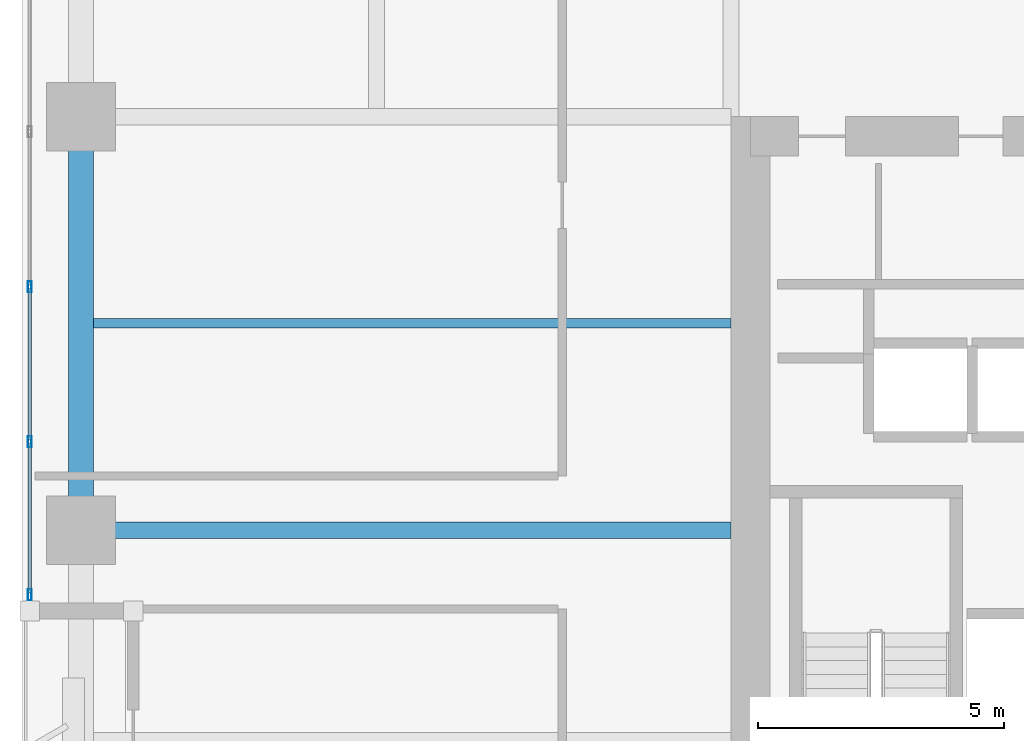
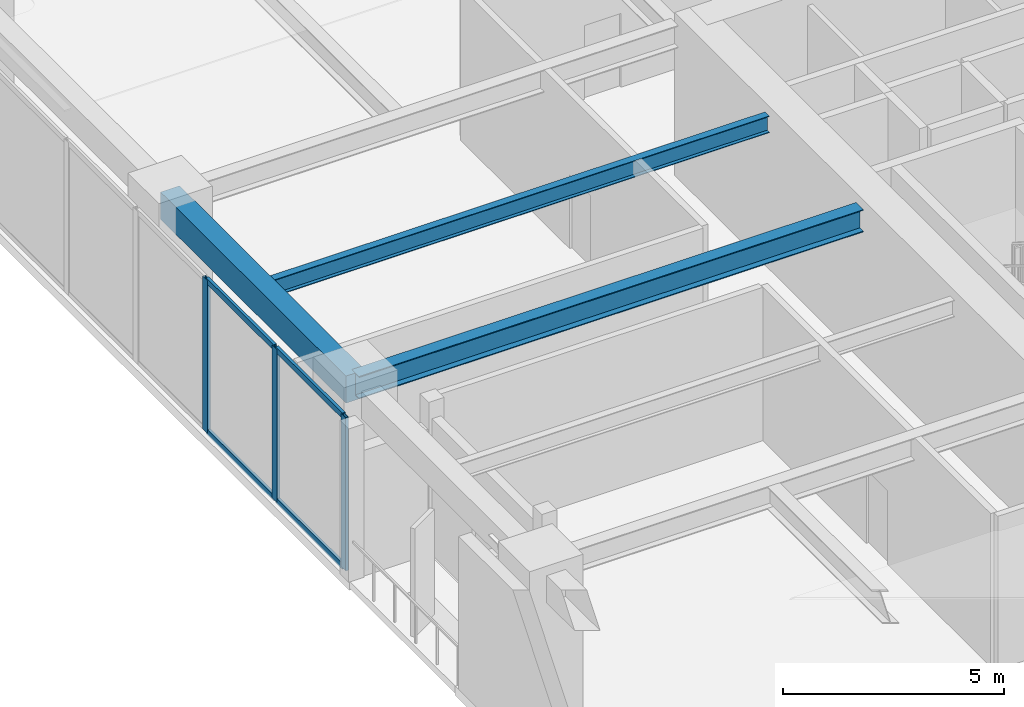
# One storey, part 2 of 20: 7 members, 3 beams, 1 element without a shape of its own.
"""IFC4 building model written with IfcOpenShell, lengths in metres."""

from ifc_helpers import new_model, si_unit, direction, frame, origin, origin_2d, place, context, subcontext, project, spatial, rectangle, hollow_rectangle, i_section, extrude, material, layer, layer_set, material_profile, profile_set, type_object, element, aggregate, save


model = new_model("IFC4")

# Units and contexts
model_context = context("Model", 3, precision=1e-05, world=origin(), true_north=direction((0.0, 1.0)))
body_context = subcontext(model_context, "Body", "Model", "MODEL_VIEW")
ifc_project = project(units=[si_unit("LENGTHUNIT", "METRE"), si_unit("AREAUNIT", "SQUARE_METRE"), si_unit("VOLUMEUNIT", "CUBIC_METRE"), si_unit("PLANEANGLEUNIT", "RADIAN"), si_unit("MASSUNIT", "GRAM", prefix="KILO")], contexts=[model_context])

# Site, building, storey
site_placement = place(None, origin())
site = spatial("IfcSite", under=ifc_project, at=site_placement, CompositionType="ELEMENT")
building_placement = place(site_placement, origin())
building = spatial("IfcBuilding", under=site, at=building_placement, Name="Kiyonajd Concourse Tower", CompositionType="ELEMENT")
storey_placement = place(building_placement, frame((0.0, 0.0, 125.39990234375)))
storey = spatial("IfcBuildingStorey", under=building, at=storey_placement, Name="L32", CompositionType="ELEMENT", Elevation=125.39990234375)

# Beams
ifc_material_1 = material(Name="Steel ASTM A992 Grade 50", Category="steel")
ifc_material_profile_1 = material_profile(ifc_material_1, i_section(OverallWidth=0.19189453125, OverallDepth=0.462890625, WebThickness=0.010498046875, FlangeThickness=0.017578125, at=origin_2d()), Name="W460X89")
ifc_profile_set_1 = profile_set([ifc_material_profile_1], Name="Steel ASTM A992 Grade 50")
beam_type_1 = type_object("IfcBeamType", Name="BM-JST-460B", PredefinedType="JOIST", material=ifc_profile_set_1)
beam_1_placement = place(storey_placement, frame((19.449951171875, 40.199951171875, 4.008544921875), z_axis=(1.0, 0.0, 0.0), x_axis=(0.0, 1.0, 0.0)))
element("IfcBeam", 1, at=beam_1_placement, inside=storey, type_object=beam_type_1, Name="L32 West Secondary Floor Joist", PredefinedType="JOIST", context=body_context, shape_type="SweptSolid", body=[
    extrude(i_section(OverallWidth=0.19189453125, OverallDepth=0.462890625, WebThickness=0.010498046875, FlangeThickness=0.017578125, at=origin_2d()), origin(), (0.0, 0.0, 1.0), 12.949951171875),
])
ifc_material_2 = material(Name="Precast concrete C50/60", Category="concrete")
ifc_material_profile_2 = material_profile(ifc_material_2, rectangle(XDim=0.5, YDim=0.75, at=origin_2d()), Name="RCBM-500x750")
ifc_profile_set_2 = profile_set([ifc_material_profile_2], Name="Precast concrete C50/60")
beam_type_2 = type_object("IfcBeamType", Name="BM-SPAN-RC", PredefinedType="SPANDREL", material=ifc_profile_set_2)
beam_2_placement = place(storey_placement, frame((19.199951171875, 44.39990234375, 3.864990234375), z_axis=(0.0, -1.0, 0.0), x_axis=(1.0, 0.0, 0.0)))
element("IfcBeam", 2, at=beam_2_placement, inside=storey, type_object=beam_type_2, Name="L32 Perimeter Bundled Tube Spandrel", PredefinedType="SPANDREL", context=body_context, shape_type="SweptSolid", body=[
    extrude(rectangle(XDim=0.5, YDim=0.75, at=origin_2d()), origin(), (0.0, 0.0, 1.0), 8.39990234375),
])
ifc_material_profile_3 = material_profile(ifc_material_1, i_section(OverallWidth=0.326904296875, OverallDepth=0.6220703125, WebThickness=0.015380859375, FlangeThickness=0.0244140625, at=origin_2d()), Name="W610X195")
ifc_profile_set_3 = profile_set([ifc_material_profile_3], Name="Steel ASTM A992 Grade 50")
beam_type_3 = type_object("IfcBeamType", Name="BM-TWR-610A", PredefinedType="BEAM", material=ifc_profile_set_3)
beam_3_placement = place(storey_placement, frame((19.199951171875, 36.0, 3.92919921875), z_axis=(1.0, 0.0, 0.0), x_axis=(0.0, 1.0, 0.0)))
element("IfcBeam", 3, at=beam_3_placement, inside=storey, type_object=beam_type_3, Name="L32 West Lease Girder", PredefinedType="BEAM", context=body_context, shape_type="SweptSolid", body=[
    extrude(i_section(OverallWidth=0.326904296875, OverallDepth=0.6220703125, WebThickness=0.015380859375, FlangeThickness=0.0244140625, at=origin_2d()), origin(), (0.0, 0.0, 1.0), 13.199951171875),
])

# Curtain wall, members
ifc_material_3 = material(Name="Thermally Broken Anodised Aluminium", Category="aluminium")
ifc_layer = layer(ifc_material_3, 0.179931640625)
ifc_layer_set = layer_set([ifc_layer], Name="Thermally Broken Anodised Aluminium")
curtain_wall_type = type_object("IfcCurtainWallType", Name="CW-SYS-05", PredefinedType="NOTDEFINED", material=ifc_layer_set)
curtain_wall_placement = place(storey_placement, origin())
curtain_wall = element("IfcCurtainWall", 4, at=curtain_wall_placement, inside=storey, type_object=curtain_wall_type, Name="L32 Unitised Curtain Wall CW5", PredefinedType="NOTDEFINED")
ifc_material_profile_4 = material_profile(ifc_material_3, hollow_rectangle(XDim=0.074951171875, YDim=0.219970703125, WallThickness=0.0048828125, at=origin_2d()), Name="MULL-75x220")
ifc_profile_set_4 = profile_set([ifc_material_profile_4], Name="Thermally Broken Anodised Aluminium")
member_type_1 = type_object("IfcMemberType", Name="MB-CW-MULL2", PredefinedType="MULLION", material=ifc_profile_set_4)
member_1_placement = place(storey_placement, frame((18.159912109375, 34.6875, 0.0), z_axis=(0.0, 0.0, 1.0), x_axis=(-1.0, 0.0, 0.0)))
member_1 = element("IfcMember", 5, at=member_1_placement, type_object=member_type_1, Name="CW5 mullion 1", PredefinedType="MULLION", context=body_context, shape_type="SweptSolid", body=[
    extrude(hollow_rectangle(XDim=0.074951171875, YDim=0.219970703125, WallThickness=0.0048828125, at=origin_2d()), origin(), (0.0, 0.0, 1.0), 4.239990234375),
])
member_2_placement = place(storey_placement, frame((18.159912109375, 37.79833984375, 0.0), z_axis=(0.0, 0.0, 1.0), x_axis=(-1.0, 0.0, 0.0)))
member_2 = element("IfcMember", 6, at=member_2_placement, type_object=member_type_1, Name="CW5 mullion 2", PredefinedType="MULLION", context=body_context, shape_type="SweptSolid", body=[
    extrude(hollow_rectangle(XDim=0.074951171875, YDim=0.219970703125, WallThickness=0.0048828125, at=origin_2d()), origin(), (0.0, 0.0, 1.0), 4.239990234375),
])
member_3_placement = place(storey_placement, frame((18.159912109375, 40.94677734375, 0.0), z_axis=(0.0, 0.0, 1.0), x_axis=(-1.0, 0.0, 0.0)))
member_3 = element("IfcMember", 7, at=member_3_placement, type_object=member_type_1, Name="CW5 mullion 3", PredefinedType="MULLION", context=body_context, shape_type="SweptSolid", body=[
    extrude(hollow_rectangle(XDim=0.074951171875, YDim=0.219970703125, WallThickness=0.0048828125, at=origin_2d()), origin(), (0.0, 0.0, 1.0), 4.239990234375),
])
ifc_material_profile_5 = material_profile(ifc_material_3, hollow_rectangle(XDim=0.074951171875, YDim=0.159912109375, WallThickness=0.0048828125, at=origin_2d()), Name="TRAN-75x160")
ifc_profile_set_5 = profile_set([ifc_material_profile_5], Name="Thermally Broken Anodised Aluminium")
member_type_2 = type_object("IfcMemberType", Name="MB-CW-TRAN2", PredefinedType="USERDEFINED", material=ifc_profile_set_5)
member_4_placement = place(storey_placement, frame((18.159912109375, 34.72509765625, 0.03759765625), z_axis=(0.0, 1.0, 0.0), x_axis=(-1.0, 0.0, 0.0)))
member_4 = element("IfcMember", 8, at=member_4_placement, type_object=member_type_2, Name="CW5 transom 1.1", ObjectType="TRANSOM", PredefinedType="USERDEFINED", context=body_context, shape_type="SweptSolid", body=[
    extrude(hollow_rectangle(XDim=0.074951171875, YDim=0.159912109375, WallThickness=0.0048828125, at=origin_2d()), origin(), (0.0, 0.0, 1.0), 3.035888671875),
])
member_5_placement = place(storey_placement, frame((18.159912109375, 34.72509765625, 4.20263671875), z_axis=(0.0, 1.0, 0.0), x_axis=(-1.0, 0.0, 0.0)))
member_5 = element("IfcMember", 9, at=member_5_placement, type_object=member_type_2, Name="CW5 transom 1.2", ObjectType="TRANSOM", PredefinedType="USERDEFINED", context=body_context, shape_type="SweptSolid", body=[
    extrude(hollow_rectangle(XDim=0.074951171875, YDim=0.159912109375, WallThickness=0.0048828125, at=origin_2d()), origin(), (0.0, 0.0, 1.0), 3.035888671875),
])
member_6_placement = place(storey_placement, frame((18.159912109375, 37.8359375, 0.03759765625), z_axis=(0.0, 1.0, 0.0), x_axis=(-1.0, 0.0, 0.0)))
member_6 = element("IfcMember", 10, at=member_6_placement, type_object=member_type_2, Name="CW5 transom 2.1", ObjectType="TRANSOM", PredefinedType="USERDEFINED", context=body_context, shape_type="SweptSolid", body=[
    extrude(hollow_rectangle(XDim=0.074951171875, YDim=0.159912109375, WallThickness=0.0048828125, at=origin_2d()), origin(), (0.0, 0.0, 1.0), 3.073486328125),
])
member_7_placement = place(storey_placement, frame((18.159912109375, 37.8359375, 4.20263671875), z_axis=(0.0, 1.0, 0.0), x_axis=(-1.0, 0.0, 0.0)))
member_7 = element("IfcMember", 11, at=member_7_placement, type_object=member_type_2, Name="CW5 transom 2.2", ObjectType="TRANSOM", PredefinedType="USERDEFINED", context=body_context, shape_type="SweptSolid", body=[
    extrude(hollow_rectangle(XDim=0.074951171875, YDim=0.159912109375, WallThickness=0.0048828125, at=origin_2d()), origin(), (0.0, 0.0, 1.0), 3.073486328125),
])
aggregate(curtain_wall, [member_1, member_2, member_3, member_4, member_5, member_6, member_7])

save(model, "model.ifc")
